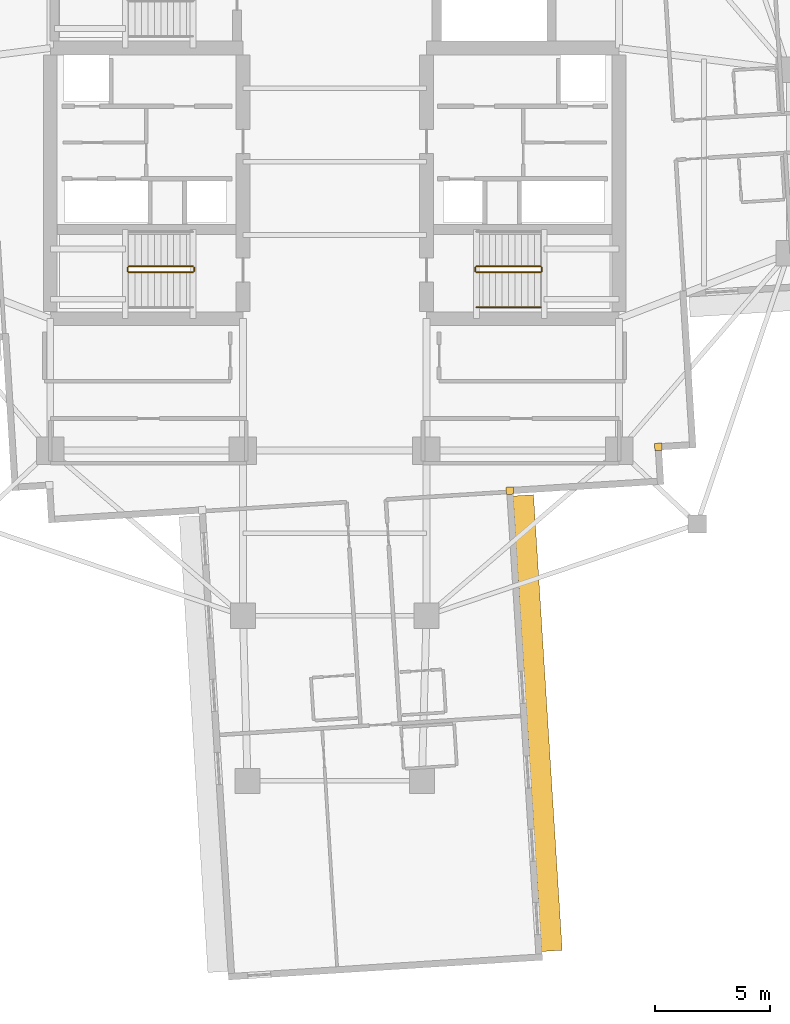
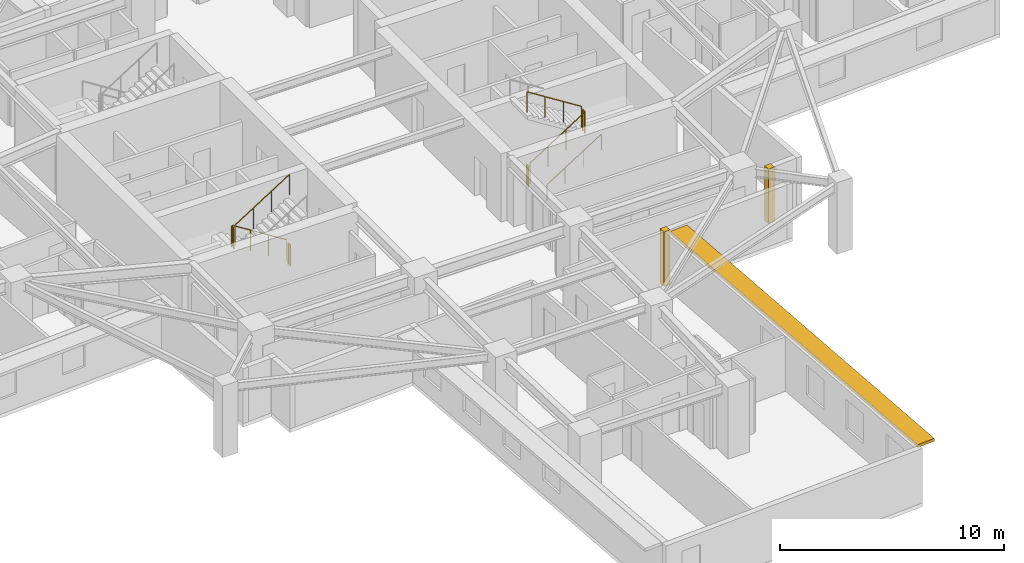
# One storey, part 11 of 14: 9 railings, 2 coverings, 1 shading device.
"""IFC4 building model written with IfcOpenShell, lengths in metres."""

from ifc_helpers import new_model, si_unit, direction, frame, origin, origin_2d, place, context, subcontext, project, spatial, rectangle, circle, extrude, material, layer, layer_set, type_object, element, save


model = new_model("IFC4")

# Units and contexts
model_context = context("Model", 3, precision=1e-05, world=origin(), true_north=direction((0.0, 1.0)))
body_context = subcontext(model_context, "Body", "Model", "MODEL_VIEW")
ifc_project = project(units=[si_unit("LENGTHUNIT", "METRE"), si_unit("AREAUNIT", "SQUARE_METRE"), si_unit("VOLUMEUNIT", "CUBIC_METRE"), si_unit("PLANEANGLEUNIT", "RADIAN"), si_unit("MASSUNIT", "GRAM", prefix="KILO")], contexts=[model_context])

# Site, building, storey
site_placement = place(None, origin())
site = spatial("IfcSite", under=ifc_project, at=site_placement, CompositionType="ELEMENT")
building_placement = place(site_placement, origin())
building = spatial("IfcBuilding", under=site, at=building_placement, Name="Qingluan Cross Belvedere", CompositionType="ELEMENT")
storey_placement = place(building_placement, frame((0.0, 0.0, 128.10009765625)))
storey = spatial("IfcBuildingStorey", under=building, at=storey_placement, Name="L32", CompositionType="ELEMENT", Elevation=128.10009765625)

# Coverings
ifc_material_1 = material(Name="Precast concrete C45", Category="concrete")
ifc_layer_1 = layer(ifc_material_1, 0.1201171875, Name="ConcreteSpandrelCladding_120")
ifc_layer_set_1 = layer_set([ifc_layer_1], Name="Precast concrete C45")
covering_type = type_object("IfcCoveringType", Name="ConcreteSpandrelCladding_120", PredefinedType="CLADDING", material=ifc_layer_set_1)
for number, where, z_axis, x_axis, name in (
    (1, (14.10888671875, -12.438720703125, 0.0), (0.0, 0.0, 1.0), (0.998026728428, 0.062790519529, 0.0), "Corner closure L32-SE1"),
    (2, (7.635986328125, -14.348876953125, 0.0), (0.0, 0.0, 1.0), (0.998026728428, 0.062790519529, 0.0), "Corner closure L32-SE2"),
):
    element("IfcCovering", number, at=place(storey_placement, frame(where, z_axis=z_axis, x_axis=x_axis)), inside=storey, type_object=covering_type, Name=name, PredefinedType="CLADDING", context=body_context, shape_type="SweptSolid", body=[
        extrude(rectangle(XDim=0.320068359375, YDim=0.320068359375, at=origin_2d()), origin(), (0.0, 0.0, 1.0), 2.969970703125),
    ])

# Shading device
ifc_material_2 = material(Name="Precast concrete C45", Category="concrete")
ifc_layer_2 = layer(ifc_material_2, 0.159912109375, Name="ConcreteSunshadeBand_900")
ifc_layer_set_2 = layer_set([ifc_layer_2], Name="Precast concrete C45")
shading_device_type = type_object("IfcShadingDeviceType", Name="ConcreteSunshadeBand_900", PredefinedType="USERDEFINED", material=ifc_layer_set_2)
shading_device_placement = place(storey_placement, frame((8.8447265625, -24.48291015625, 2.7900390625), z_axis=(0.0, 0.0, 1.0), x_axis=(-0.062791158819, 0.998026688207, 0.0)))
element("IfcShadingDevice", 3, at=shading_device_placement, inside=storey, type_object=shading_device_type, Name="Concrete SUNSHADE L32-SB", ObjectType="SUNSHADE", PredefinedType="USERDEFINED", context=body_context, shape_type="SweptSolid", body=[
    extrude(rectangle(XDim=19.89990234375, YDim=0.89990234375, at=origin_2d()), origin(), (0.0, 0.0, 1.0), 0.159912109375),
])

# Railings
ifc_material_3 = material(Name="Brushed stainless steel tubular handrail", Category="steel")
railing_type_1 = type_object("IfcRailingType", Name="StairPitchHandrail_900", PredefinedType="HANDRAIL", material=ifc_material_3)
railing_1_placement = place(storey_placement, frame((6.179931640625, -6.35009765625, 0.17724609375)))
element("IfcRailing", 4, at=railing_1_placement, inside=storey, type_object=railing_type_1, Name="L32 ST2 stair handrail 1", PredefinedType="HANDRAIL", context=body_context, shape_type="SweptSolid", body=[
    extrude(circle(Radius=0.02392578125, at=origin_2d()), frame((0.0, 0.0, 0.8759765625), z_axis=(0.844908973607, 0.0, 0.534910110503), x_axis=(0.0, 1.0, 0.0)), (0.0, 0.0, 1.0), 3.31396484375),
    extrude(circle(Radius=0.02099609375, at=origin_2d()), origin(), (0.0, 0.0, 1.0), 0.851806640625),
    extrude(circle(Radius=0.02099609375, at=origin_2d()), frame((0.933349609375, 0.0, 0.5908203125)), (0.0, 0.0, 1.0), 0.851806640625),
    extrude(circle(Radius=0.02099609375, at=origin_2d()), frame((1.86669921875, 0.0, 1.181884765625)), (0.0, 0.0, 1.0), 0.851806640625),
    extrude(circle(Radius=0.02099609375, at=origin_2d()), frame((2.800048828125, 0.0, 1.772705078125)), (0.0, 0.0, 1.0), 0.851806640625),
])
ifc_material_4 = material(Name="Painted steel stair well guard", Category="steel")
railing_type_2 = type_object("IfcRailingType", Name="StairWellGuard_1150", PredefinedType="BALUSTRADE", material=ifc_material_4)
railing_2_placement = place(storey_placement, frame((-6.179931640625, -4.570068359375, 0.17724609375)))
element("IfcRailing", 5, at=railing_2_placement, inside=storey, type_object=railing_type_2, Name="L32 ST1 stair guard 1", PredefinedType="BALUSTRADE", context=body_context, shape_type="SweptSolid", body=[
    extrude(circle(Radius=0.02392578125, at=origin_2d()), frame((0.0, 0.0, 1.1259765625), z_axis=(-0.844908973607, 0.0, 0.534910110503), x_axis=(0.0, -1.0, 0.0)), (0.0, 0.0, 1.0), 3.31396484375),
    extrude(circle(Radius=0.02099609375, at=origin_2d()), origin(), (0.0, 0.0, 1.0), 1.101806640625),
    extrude(circle(Radius=0.02099609375, at=origin_2d()), frame((-0.933349609375, 0.0, 0.5908203125)), (0.0, 0.0, 1.0), 1.101806640625),
    extrude(circle(Radius=0.02099609375, at=origin_2d()), frame((-1.86669921875, 0.0, 1.181884765625)), (0.0, 0.0, 1.0), 1.101806640625),
    extrude(circle(Radius=0.02099609375, at=origin_2d()), frame((-2.800048828125, 0.0, 1.772705078125)), (0.0, 0.0, 1.0), 1.101806640625),
])
railing_3_placement = place(storey_placement, frame((-9.030029296875, -4.6201171875, 1.949951171875)))
element("IfcRailing", 6, at=railing_3_placement, inside=storey, type_object=railing_type_2, Name="L32 ST1 stair guard 2", PredefinedType="BALUSTRADE", context=body_context, shape_type="SweptSolid", body=[
    extrude(circle(Radius=0.02392578125, at=origin_2d()), frame((0.0, 0.0, 1.1259765625), z_axis=(0.0, -1.0, 0.0), x_axis=(1.0, 0.0, 0.0)), (0.0, 0.0, 1.0), 0.159912109375),
    extrude(circle(Radius=0.02099609375, at=origin_2d()), origin(), (0.0, 0.0, 1.0), 1.101806640625),
    extrude(circle(Radius=0.02099609375, at=origin_2d()), frame((0.0, -0.159912109375, 0.0)), (0.0, 0.0, 1.0), 1.101806640625),
])
railing_4_placement = place(storey_placement, frame((-8.97998046875, -4.830078125, 2.127197265625)))
element("IfcRailing", 7, at=railing_4_placement, inside=storey, type_object=railing_type_2, Name="L32 ST1 stair guard 3", PredefinedType="BALUSTRADE", context=body_context, shape_type="SweptSolid", body=[
    extrude(circle(Radius=0.02392578125, at=origin_2d()), frame((0.0, 0.0, 1.1259765625), z_axis=(0.844908973607, 0.0, 0.534910110503), x_axis=(0.0, 1.0, 0.0)), (0.0, 0.0, 1.0), 3.31396484375),
    extrude(circle(Radius=0.02099609375, at=origin_2d()), origin(), (0.0, 0.0, 1.0), 1.101806640625),
    extrude(circle(Radius=0.02099609375, at=origin_2d()), frame((0.933349609375, 0.0, 0.5908203125)), (0.0, 0.0, 1.0), 1.101806640625),
    extrude(circle(Radius=0.02099609375, at=origin_2d()), frame((1.86669921875, 0.0, 1.181884765625)), (0.0, 0.0, 1.0), 1.101806640625),
    extrude(circle(Radius=0.02099609375, at=origin_2d()), frame((2.800048828125, 0.0, 1.772705078125)), (0.0, 0.0, 1.0), 1.101806640625),
])
railing_5_placement = place(storey_placement, frame((-6.1298828125, -4.6201171875, 0.0)))
element("IfcRailing", 8, at=railing_5_placement, inside=storey, type_object=railing_type_2, Name="L32 ST1 stair guard 4", PredefinedType="BALUSTRADE", context=body_context, shape_type="SweptSolid", body=[
    extrude(circle(Radius=0.02392578125, at=origin_2d()), frame((0.0, 0.0, 1.1259765625), z_axis=(0.0, -1.0, 0.0), x_axis=(1.0, 0.0, 0.0)), (0.0, 0.0, 1.0), 0.159912109375),
    extrude(circle(Radius=0.02099609375, at=origin_2d()), origin(), (0.0, 0.0, 1.0), 1.101806640625),
    extrude(circle(Radius=0.02099609375, at=origin_2d()), frame((0.0, -0.159912109375, 0.0)), (0.0, 0.0, 1.0), 1.101806640625),
])
railing_6_placement = place(storey_placement, frame((6.179931640625, -4.830078125, 0.17724609375)))
element("IfcRailing", 9, at=railing_6_placement, inside=storey, type_object=railing_type_2, Name="L32 ST2 stair guard 1", PredefinedType="BALUSTRADE", context=body_context, shape_type="SweptSolid", body=[
    extrude(circle(Radius=0.02392578125, at=origin_2d()), frame((0.0, 0.0, 1.1259765625), z_axis=(0.844908973607, 0.0, 0.534910110503), x_axis=(0.0, 1.0, 0.0)), (0.0, 0.0, 1.0), 3.31396484375),
    extrude(circle(Radius=0.02099609375, at=origin_2d()), origin(), (0.0, 0.0, 1.0), 1.101806640625),
    extrude(circle(Radius=0.02099609375, at=origin_2d()), frame((0.933349609375, 0.0, 0.5908203125)), (0.0, 0.0, 1.0), 1.101806640625),
    extrude(circle(Radius=0.02099609375, at=origin_2d()), frame((1.86669921875, 0.0, 1.181884765625)), (0.0, 0.0, 1.0), 1.101806640625),
    extrude(circle(Radius=0.02099609375, at=origin_2d()), frame((2.800048828125, 0.0, 1.772705078125)), (0.0, 0.0, 1.0), 1.101806640625),
])
railing_7_placement = place(storey_placement, frame((9.030029296875, -4.780029296875, 1.949951171875)))
element("IfcRailing", 10, at=railing_7_placement, inside=storey, type_object=railing_type_2, Name="L32 ST2 stair guard 2", PredefinedType="BALUSTRADE", context=body_context, shape_type="SweptSolid", body=[
    extrude(circle(Radius=0.02392578125, at=origin_2d()), frame((0.0, 0.0, 1.1259765625), z_axis=(0.0, 1.0, 0.0), x_axis=(-1.0, 0.0, 0.0)), (0.0, 0.0, 1.0), 0.159912109375),
    extrude(circle(Radius=0.02099609375, at=origin_2d()), origin(), (0.0, 0.0, 1.0), 1.101806640625),
    extrude(circle(Radius=0.02099609375, at=origin_2d()), frame((0.0, 0.159912109375, 0.0)), (0.0, 0.0, 1.0), 1.101806640625),
])
railing_8_placement = place(storey_placement, frame((8.97998046875, -4.570068359375, 2.127197265625)))
element("IfcRailing", 11, at=railing_8_placement, inside=storey, type_object=railing_type_2, Name="L32 ST2 stair guard 3", PredefinedType="BALUSTRADE", context=body_context, shape_type="SweptSolid", body=[
    extrude(circle(Radius=0.02392578125, at=origin_2d()), frame((0.0, 0.0, 1.1259765625), z_axis=(-0.844908973607, 0.0, 0.534910110503), x_axis=(0.0, -1.0, 0.0)), (0.0, 0.0, 1.0), 3.31396484375),
    extrude(circle(Radius=0.02099609375, at=origin_2d()), origin(), (0.0, 0.0, 1.0), 1.101806640625),
    extrude(circle(Radius=0.02099609375, at=origin_2d()), frame((-0.933349609375, 0.0, 0.5908203125)), (0.0, 0.0, 1.0), 1.101806640625),
    extrude(circle(Radius=0.02099609375, at=origin_2d()), frame((-1.86669921875, 0.0, 1.181884765625)), (0.0, 0.0, 1.0), 1.101806640625),
    extrude(circle(Radius=0.02099609375, at=origin_2d()), frame((-2.800048828125, 0.0, 1.772705078125)), (0.0, 0.0, 1.0), 1.101806640625),
])
railing_9_placement = place(storey_placement, frame((6.1298828125, -4.780029296875, 0.0)))
element("IfcRailing", 12, at=railing_9_placement, inside=storey, type_object=railing_type_2, Name="L32 ST2 stair guard 4", PredefinedType="BALUSTRADE", context=body_context, shape_type="SweptSolid", body=[
    extrude(circle(Radius=0.02392578125, at=origin_2d()), frame((0.0, 0.0, 1.1259765625), z_axis=(0.0, 1.0, 0.0), x_axis=(-1.0, 0.0, 0.0)), (0.0, 0.0, 1.0), 0.159912109375),
    extrude(circle(Radius=0.02099609375, at=origin_2d()), origin(), (0.0, 0.0, 1.0), 1.101806640625),
    extrude(circle(Radius=0.02099609375, at=origin_2d()), frame((0.0, 0.159912109375, 0.0)), (0.0, 0.0, 1.0), 1.101806640625),
])

save(model, "model.ifc")
